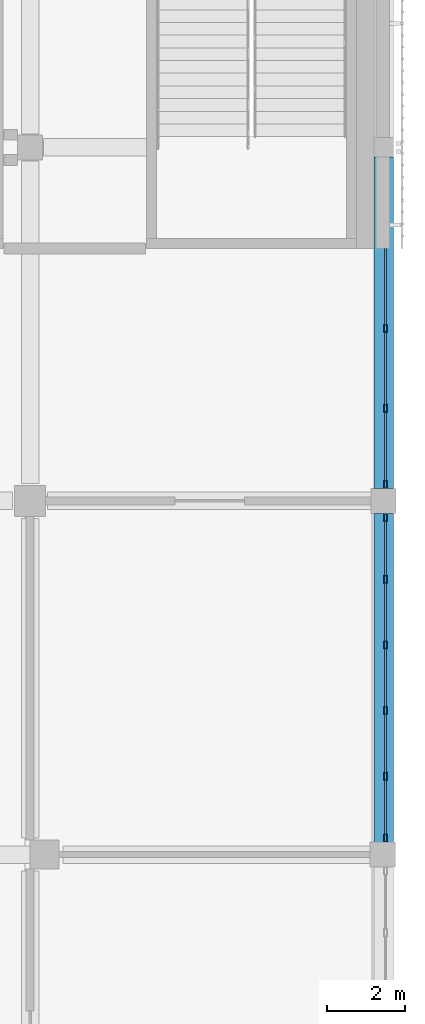
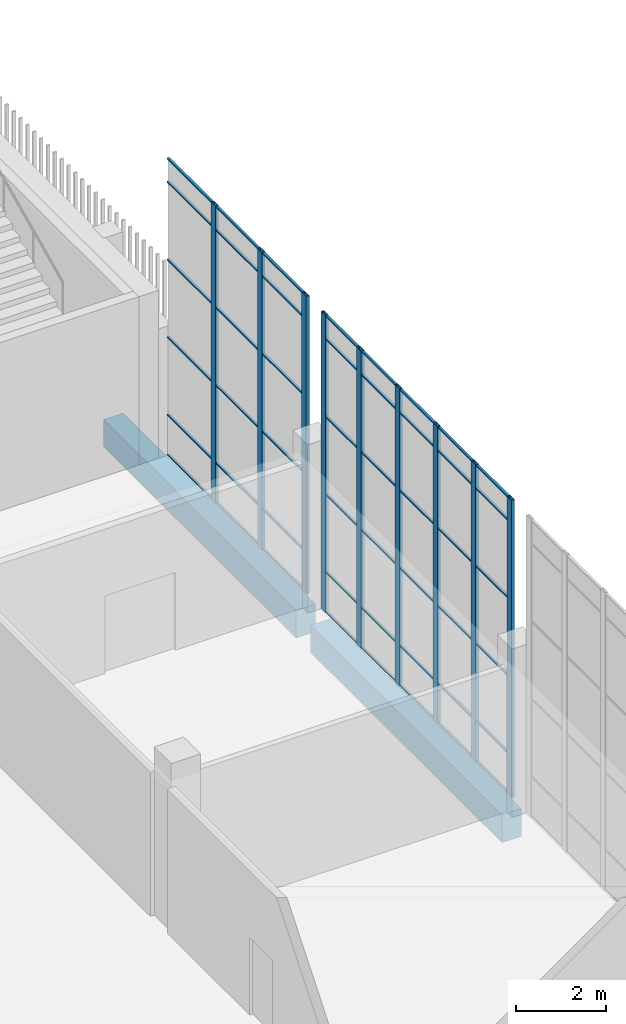
# One storey, part 56 of 126: 57 members, 2 beams, 2 elements without a shape of their own.
"""IFC4 building model written with IfcOpenShell, lengths in metres."""

from ifc_helpers import new_model, si_unit, direction, frame, origin, origin_2d, place, context, subcontext, project, spatial, rectangle, hollow_rectangle, extrude, material, layer, layer_set, material_profile, profile_set, type_object, element, aggregate, save


model = new_model("IFC4")

# Units and contexts
model_context = context("Model", 3, precision=1e-05, world=origin(), true_north=direction((0.0, 1.0)))
body_context = subcontext(model_context, "Body", "Model", "MODEL_VIEW")
ifc_project = project(units=[si_unit("LENGTHUNIT", "METRE"), si_unit("AREAUNIT", "SQUARE_METRE"), si_unit("VOLUMEUNIT", "CUBIC_METRE"), si_unit("PLANEANGLEUNIT", "RADIAN"), si_unit("MASSUNIT", "GRAM", prefix="KILO")], contexts=[model_context])

# Site, building, storey
site_placement = place(None, origin())
site = spatial("IfcSite", under=ifc_project, at=site_placement, CompositionType="ELEMENT")
building_placement = place(site_placement, origin())
building = spatial("IfcBuilding", under=site, at=building_placement, Name="Shirokan Park Arena", CompositionType="ELEMENT")
storey_placement = place(building_placement, frame((0.0, 0.0, 6.3701171875)))
storey = spatial("IfcBuildingStorey", under=building, at=storey_placement, Name="L01", CompositionType="ELEMENT", Elevation=6.3701171875)

# Curtain wall, members
ifc_material_1 = material(Name="Steel and glass curtain wall", Category="steel")
ifc_layer = layer(ifc_material_1, 0.199951171875)
ifc_layer_set = layer_set([ifc_layer], Name="Steel and glass curtain wall 200 mm")
curtain_wall_type = type_object("IfcCurtainWallType", Name="Curtain wall hall bay 200", PredefinedType="NOTDEFINED", material=ifc_layer_set)
curtain_wall_1_placement = place(storey_placement, origin())
curtain_wall_1 = element("IfcCurtainWall", 1, at=curtain_wall_1_placement, inside=storey, type_object=curtain_wall_type, Name="Curtain wall east bay 8 L01", PredefinedType="NOTDEFINED")
ifc_material_2 = material(Name="Steel S355", Category="steel")
ifc_material_profile_1 = material_profile(ifc_material_2, hollow_rectangle(XDim=0.080078125, YDim=0.199951171875, WallThickness=0.008056640625, at=origin_2d()), Name="RHS 200x80x8")
ifc_profile_set_1 = profile_set([ifc_material_profile_1], Name="Steel S355")
member_type_1 = type_object("IfcMemberType", Name="Mullion RHS 200x80x8", PredefinedType="MULLION", material=ifc_profile_set_1)
member_1_placement = place(storey_placement, frame((145.64990234375, 64.125, 0.0), z_axis=(0.0, 0.0, 1.0), x_axis=(-1.0, 0.0, 0.0)))
member_1 = element("IfcMember", 2, at=member_1_placement, type_object=member_type_1, Name="CW5 mullion 1", PredefinedType="MULLION", context=body_context, shape_type="SweptSolid", body=[
    extrude(hollow_rectangle(XDim=0.080078125, YDim=0.199951171875, WallThickness=0.008056640625, at=origin_2d()), origin(), (0.0, 0.0, 1.0), 8.0498046875),
])
member_2_placement = place(storey_placement, frame((145.64990234375, 65.715087890625, 0.0), z_axis=(0.0, 0.0, 1.0), x_axis=(-1.0, 0.0, 0.0)))
member_2 = element("IfcMember", 3, at=member_2_placement, type_object=member_type_1, Name="CW5 mullion 2", PredefinedType="MULLION", context=body_context, shape_type="SweptSolid", body=[
    extrude(hollow_rectangle(XDim=0.080078125, YDim=0.199951171875, WallThickness=0.008056640625, at=origin_2d()), origin(), (0.0, 0.0, 1.0), 8.0498046875),
])
member_3_placement = place(storey_placement, frame((145.64990234375, 67.405029296875, 0.0), z_axis=(0.0, 0.0, 1.0), x_axis=(-1.0, 0.0, 0.0)))
member_3 = element("IfcMember", 4, at=member_3_placement, type_object=member_type_1, Name="CW5 mullion 3", PredefinedType="MULLION", context=body_context, shape_type="SweptSolid", body=[
    extrude(hollow_rectangle(XDim=0.080078125, YDim=0.199951171875, WallThickness=0.008056640625, at=origin_2d()), origin(), (0.0, 0.0, 1.0), 8.0498046875),
])
member_4_placement = place(storey_placement, frame((145.64990234375, 69.094970703125, 0.0), z_axis=(0.0, 0.0, 1.0), x_axis=(-1.0, 0.0, 0.0)))
member_4 = element("IfcMember", 5, at=member_4_placement, type_object=member_type_1, Name="CW5 mullion 4", PredefinedType="MULLION", context=body_context, shape_type="SweptSolid", body=[
    extrude(hollow_rectangle(XDim=0.080078125, YDim=0.199951171875, WallThickness=0.008056640625, at=origin_2d()), origin(), (0.0, 0.0, 1.0), 8.0498046875),
])
member_5_placement = place(storey_placement, frame((145.64990234375, 70.784912109375, 0.0), z_axis=(0.0, 0.0, 1.0), x_axis=(-1.0, 0.0, 0.0)))
member_5 = element("IfcMember", 6, at=member_5_placement, type_object=member_type_1, Name="CW5 mullion 5", PredefinedType="MULLION", context=body_context, shape_type="SweptSolid", body=[
    extrude(hollow_rectangle(XDim=0.080078125, YDim=0.199951171875, WallThickness=0.008056640625, at=origin_2d()), origin(), (0.0, 0.0, 1.0), 8.0498046875),
])
member_6_placement = place(storey_placement, frame((145.64990234375, 72.375, 0.0), z_axis=(0.0, 0.0, 1.0), x_axis=(-1.0, 0.0, 0.0)))
member_6 = element("IfcMember", 7, at=member_6_placement, type_object=member_type_1, Name="CW5 mullion 6", PredefinedType="MULLION", context=body_context, shape_type="SweptSolid", body=[
    extrude(hollow_rectangle(XDim=0.080078125, YDim=0.199951171875, WallThickness=0.008056640625, at=origin_2d()), origin(), (0.0, 0.0, 1.0), 8.0498046875),
])

curtain_wall_2_placement = place(storey_placement, origin())
curtain_wall_2 = element("IfcCurtainWall", 8, at=curtain_wall_2_placement, inside=storey, type_object=curtain_wall_type, Name="Curtain wall east bay 9 L01", PredefinedType="NOTDEFINED")
member_7_placement = place(storey_placement, frame((145.64990234375, 73.22509765625, 0.0), z_axis=(0.0, 0.0, 1.0), x_axis=(-1.0, 0.0, 0.0)))
member_7 = element("IfcMember", 9, at=member_7_placement, type_object=member_type_1, Name="CW5 mullion 1", PredefinedType="MULLION", context=body_context, shape_type="SweptSolid", body=[
    extrude(hollow_rectangle(XDim=0.080078125, YDim=0.199951171875, WallThickness=0.008056640625, at=origin_2d()), origin(), (0.0, 0.0, 1.0), 8.0498046875),
])
member_8_placement = place(storey_placement, frame((145.64990234375, 75.183349609375, 0.0), z_axis=(0.0, 0.0, 1.0), x_axis=(-1.0, 0.0, 0.0)))
member_8 = element("IfcMember", 10, at=member_8_placement, type_object=member_type_1, Name="CW5 mullion 2", PredefinedType="MULLION", context=body_context, shape_type="SweptSolid", body=[
    extrude(hollow_rectangle(XDim=0.080078125, YDim=0.199951171875, WallThickness=0.008056640625, at=origin_2d()), origin(), (0.0, 0.0, 1.0), 8.0498046875),
])
member_9_placement = place(storey_placement, frame((145.64990234375, 77.24169921875, 0.0), z_axis=(0.0, 0.0, 1.0), x_axis=(-1.0, 0.0, 0.0)))
member_9 = element("IfcMember", 11, at=member_9_placement, type_object=member_type_1, Name="CW5 mullion 3", PredefinedType="MULLION", context=body_context, shape_type="SweptSolid", body=[
    extrude(hollow_rectangle(XDim=0.080078125, YDim=0.199951171875, WallThickness=0.008056640625, at=origin_2d()), origin(), (0.0, 0.0, 1.0), 8.0498046875),
])

# Beams
ifc_material_3 = material(Name="Concrete C35", Category="concrete")
ifc_material_profile_2 = material_profile(ifc_material_3, rectangle(XDim=0.5, YDim=0.75, at=origin_2d()), Name="500x750")
ifc_profile_set_2 = profile_set([ifc_material_profile_2], Name="Concrete C35")
beam_type = type_object("IfcBeamType", Name="RC girder 500x750", PredefinedType="BEAM", material=ifc_profile_set_2)
beam_1_placement = place(storey_placement, frame((145.60009765625, 64.0, -0.72509765625), z_axis=(0.0, 1.0, 0.0), x_axis=(-1.0, 0.0, 0.0)))
element("IfcBeam", 12, at=beam_1_placement, inside=storey, type_object=beam_type, Name="Girder 17H-17J L01", PredefinedType="BEAM", context=body_context, shape_type="SweptSolid", body=[
    extrude(rectangle(XDim=0.5, YDim=0.75, at=origin_2d()), origin(), (0.0, 0.0, 1.0), 8.474853515625),
])
beam_2_placement = place(storey_placement, frame((145.60009765625, 73.125, -0.72509765625), z_axis=(0.0, 1.0, 0.0), x_axis=(-1.0, 0.0, 0.0)))
element("IfcBeam", 13, at=beam_2_placement, inside=storey, type_object=beam_type, Name="Girder 17J-17K L01", PredefinedType="BEAM", context=body_context, shape_type="SweptSolid", body=[
    extrude(rectangle(XDim=0.5, YDim=0.75, at=origin_2d()), origin(), (0.0, 0.0, 1.0), 8.52490234375),
])

# Member
ifc_material_profile_3 = material_profile(ifc_material_2, hollow_rectangle(XDim=0.06005859375, YDim=0.0400390625, WallThickness=0.00390625, at=origin_2d()), Name="RHS 60x40x4")
ifc_profile_set_3 = profile_set([ifc_material_profile_3], Name="Steel S355")
member_type_2 = type_object("IfcMemberType", Name="Transom RHS 60x40x4", PredefinedType="MULLION", material=ifc_profile_set_3)
member_10_placement = place(storey_placement, frame((145.64990234375, 64.22509765625, 0.019775390625), z_axis=(0.0, 1.0, 0.0), x_axis=(-1.0, 0.0, 0.0)))
member_10 = element("IfcMember", 14, at=member_10_placement, type_object=member_type_2, Name="CW5 transom 1.1", PredefinedType="MULLION", context=body_context, shape_type="SweptSolid", body=[
    extrude(hollow_rectangle(XDim=0.06005859375, YDim=0.0400390625, WallThickness=0.00390625, at=origin_2d()), origin(), (0.0, 0.0, 1.0), 1.389892578125),
])

member_11_placement = place(storey_placement, frame((145.64990234375, 64.22509765625, 1.099853515625), z_axis=(0.0, 1.0, 0.0), x_axis=(-1.0, 0.0, 0.0)))
member_11 = element("IfcMember", 15, at=member_11_placement, type_object=member_type_2, Name="CW5 transom 1.2", PredefinedType="MULLION", context=body_context, shape_type="SweptSolid", body=[
    extrude(hollow_rectangle(XDim=0.06005859375, YDim=0.0400390625, WallThickness=0.00390625, at=origin_2d()), origin(), (0.0, 0.0, 1.0), 1.389892578125),
])

member_12_placement = place(storey_placement, frame((145.64990234375, 64.22509765625, 3.199951171875), z_axis=(0.0, 1.0, 0.0), x_axis=(-1.0, 0.0, 0.0)))
member_12 = element("IfcMember", 16, at=member_12_placement, type_object=member_type_2, Name="CW5 transom 1.3", PredefinedType="MULLION", context=body_context, shape_type="SweptSolid", body=[
    extrude(hollow_rectangle(XDim=0.06005859375, YDim=0.0400390625, WallThickness=0.00390625, at=origin_2d()), origin(), (0.0, 0.0, 1.0), 1.389892578125),
])

member_13_placement = place(storey_placement, frame((145.64990234375, 64.22509765625, 5.2998046875), z_axis=(0.0, 1.0, 0.0), x_axis=(-1.0, 0.0, 0.0)))
member_13 = element("IfcMember", 17, at=member_13_placement, type_object=member_type_2, Name="CW5 transom 1.4", PredefinedType="MULLION", context=body_context, shape_type="SweptSolid", body=[
    extrude(hollow_rectangle(XDim=0.06005859375, YDim=0.0400390625, WallThickness=0.00390625, at=origin_2d()), origin(), (0.0, 0.0, 1.0), 1.389892578125),
])

member_14_placement = place(storey_placement, frame((145.64990234375, 64.22509765625, 7.39990234375), z_axis=(0.0, 1.0, 0.0), x_axis=(-1.0, 0.0, 0.0)))
member_14 = element("IfcMember", 18, at=member_14_placement, type_object=member_type_2, Name="CW5 transom 1.5", PredefinedType="MULLION", context=body_context, shape_type="SweptSolid", body=[
    extrude(hollow_rectangle(XDim=0.06005859375, YDim=0.0400390625, WallThickness=0.00390625, at=origin_2d()), origin(), (0.0, 0.0, 1.0), 1.389892578125),
])

member_15_placement = place(storey_placement, frame((145.64990234375, 64.22509765625, 8.02978515625), z_axis=(0.0, 1.0, 0.0), x_axis=(-1.0, 0.0, 0.0)))
member_15 = element("IfcMember", 19, at=member_15_placement, type_object=member_type_2, Name="CW5 transom 1.6", PredefinedType="MULLION", context=body_context, shape_type="SweptSolid", body=[
    extrude(hollow_rectangle(XDim=0.06005859375, YDim=0.0400390625, WallThickness=0.00390625, at=origin_2d()), origin(), (0.0, 0.0, 1.0), 1.389892578125),
])

member_16_placement = place(storey_placement, frame((145.64990234375, 65.81494140625, 0.019775390625), z_axis=(0.0, 1.0, 0.0), x_axis=(-1.0, 0.0, 0.0)))
member_16 = element("IfcMember", 20, at=member_16_placement, type_object=member_type_2, Name="CW5 transom 2.1", PredefinedType="MULLION", context=body_context, shape_type="SweptSolid", body=[
    extrude(hollow_rectangle(XDim=0.06005859375, YDim=0.0400390625, WallThickness=0.00390625, at=origin_2d()), origin(), (0.0, 0.0, 1.0), 1.489990234375),
])

member_17_placement = place(storey_placement, frame((145.64990234375, 65.81494140625, 1.099853515625), z_axis=(0.0, 1.0, 0.0), x_axis=(-1.0, 0.0, 0.0)))
member_17 = element("IfcMember", 21, at=member_17_placement, type_object=member_type_2, Name="CW5 transom 2.2", PredefinedType="MULLION", context=body_context, shape_type="SweptSolid", body=[
    extrude(hollow_rectangle(XDim=0.06005859375, YDim=0.0400390625, WallThickness=0.00390625, at=origin_2d()), origin(), (0.0, 0.0, 1.0), 1.489990234375),
])

member_18_placement = place(storey_placement, frame((145.64990234375, 65.81494140625, 3.199951171875), z_axis=(0.0, 1.0, 0.0), x_axis=(-1.0, 0.0, 0.0)))
member_18 = element("IfcMember", 22, at=member_18_placement, type_object=member_type_2, Name="CW5 transom 2.3", PredefinedType="MULLION", context=body_context, shape_type="SweptSolid", body=[
    extrude(hollow_rectangle(XDim=0.06005859375, YDim=0.0400390625, WallThickness=0.00390625, at=origin_2d()), origin(), (0.0, 0.0, 1.0), 1.489990234375),
])

member_19_placement = place(storey_placement, frame((145.64990234375, 65.81494140625, 5.2998046875), z_axis=(0.0, 1.0, 0.0), x_axis=(-1.0, 0.0, 0.0)))
member_19 = element("IfcMember", 23, at=member_19_placement, type_object=member_type_2, Name="CW5 transom 2.4", PredefinedType="MULLION", context=body_context, shape_type="SweptSolid", body=[
    extrude(hollow_rectangle(XDim=0.06005859375, YDim=0.0400390625, WallThickness=0.00390625, at=origin_2d()), origin(), (0.0, 0.0, 1.0), 1.489990234375),
])

member_20_placement = place(storey_placement, frame((145.64990234375, 65.81494140625, 7.39990234375), z_axis=(0.0, 1.0, 0.0), x_axis=(-1.0, 0.0, 0.0)))
member_20 = element("IfcMember", 24, at=member_20_placement, type_object=member_type_2, Name="CW5 transom 2.5", PredefinedType="MULLION", context=body_context, shape_type="SweptSolid", body=[
    extrude(hollow_rectangle(XDim=0.06005859375, YDim=0.0400390625, WallThickness=0.00390625, at=origin_2d()), origin(), (0.0, 0.0, 1.0), 1.489990234375),
])

member_21_placement = place(storey_placement, frame((145.64990234375, 65.81494140625, 8.02978515625), z_axis=(0.0, 1.0, 0.0), x_axis=(-1.0, 0.0, 0.0)))
member_21 = element("IfcMember", 25, at=member_21_placement, type_object=member_type_2, Name="CW5 transom 2.6", PredefinedType="MULLION", context=body_context, shape_type="SweptSolid", body=[
    extrude(hollow_rectangle(XDim=0.06005859375, YDim=0.0400390625, WallThickness=0.00390625, at=origin_2d()), origin(), (0.0, 0.0, 1.0), 1.489990234375),
])

member_22_placement = place(storey_placement, frame((145.64990234375, 67.5048828125, 0.019775390625), z_axis=(0.0, 1.0, 0.0), x_axis=(-1.0, 0.0, 0.0)))
member_22 = element("IfcMember", 26, at=member_22_placement, type_object=member_type_2, Name="CW5 transom 3.1", PredefinedType="MULLION", context=body_context, shape_type="SweptSolid", body=[
    extrude(hollow_rectangle(XDim=0.06005859375, YDim=0.0400390625, WallThickness=0.00390625, at=origin_2d()), origin(), (0.0, 0.0, 1.0), 1.490234375),
])

member_23_placement = place(storey_placement, frame((145.64990234375, 67.5048828125, 1.099853515625), z_axis=(0.0, 1.0, 0.0), x_axis=(-1.0, 0.0, 0.0)))
member_23 = element("IfcMember", 27, at=member_23_placement, type_object=member_type_2, Name="CW5 transom 3.2", PredefinedType="MULLION", context=body_context, shape_type="SweptSolid", body=[
    extrude(hollow_rectangle(XDim=0.06005859375, YDim=0.0400390625, WallThickness=0.00390625, at=origin_2d()), origin(), (0.0, 0.0, 1.0), 1.490234375),
])

member_24_placement = place(storey_placement, frame((145.64990234375, 67.5048828125, 3.199951171875), z_axis=(0.0, 1.0, 0.0), x_axis=(-1.0, 0.0, 0.0)))
member_24 = element("IfcMember", 28, at=member_24_placement, type_object=member_type_2, Name="CW5 transom 3.3", PredefinedType="MULLION", context=body_context, shape_type="SweptSolid", body=[
    extrude(hollow_rectangle(XDim=0.06005859375, YDim=0.0400390625, WallThickness=0.00390625, at=origin_2d()), origin(), (0.0, 0.0, 1.0), 1.490234375),
])

member_25_placement = place(storey_placement, frame((145.64990234375, 67.5048828125, 5.2998046875), z_axis=(0.0, 1.0, 0.0), x_axis=(-1.0, 0.0, 0.0)))
member_25 = element("IfcMember", 29, at=member_25_placement, type_object=member_type_2, Name="CW5 transom 3.4", PredefinedType="MULLION", context=body_context, shape_type="SweptSolid", body=[
    extrude(hollow_rectangle(XDim=0.06005859375, YDim=0.0400390625, WallThickness=0.00390625, at=origin_2d()), origin(), (0.0, 0.0, 1.0), 1.490234375),
])

member_26_placement = place(storey_placement, frame((145.64990234375, 67.5048828125, 7.39990234375), z_axis=(0.0, 1.0, 0.0), x_axis=(-1.0, 0.0, 0.0)))
member_26 = element("IfcMember", 30, at=member_26_placement, type_object=member_type_2, Name="CW5 transom 3.5", PredefinedType="MULLION", context=body_context, shape_type="SweptSolid", body=[
    extrude(hollow_rectangle(XDim=0.06005859375, YDim=0.0400390625, WallThickness=0.00390625, at=origin_2d()), origin(), (0.0, 0.0, 1.0), 1.490234375),
])

member_27_placement = place(storey_placement, frame((145.64990234375, 67.5048828125, 8.02978515625), z_axis=(0.0, 1.0, 0.0), x_axis=(-1.0, 0.0, 0.0)))
member_27 = element("IfcMember", 31, at=member_27_placement, type_object=member_type_2, Name="CW5 transom 3.6", PredefinedType="MULLION", context=body_context, shape_type="SweptSolid", body=[
    extrude(hollow_rectangle(XDim=0.06005859375, YDim=0.0400390625, WallThickness=0.00390625, at=origin_2d()), origin(), (0.0, 0.0, 1.0), 1.490234375),
])

member_28_placement = place(storey_placement, frame((145.64990234375, 69.195068359375, 0.019775390625), z_axis=(0.0, 1.0, 0.0), x_axis=(-1.0, 0.0, 0.0)))
member_28 = element("IfcMember", 32, at=member_28_placement, type_object=member_type_2, Name="CW5 transom 4.1", PredefinedType="MULLION", context=body_context, shape_type="SweptSolid", body=[
    extrude(hollow_rectangle(XDim=0.06005859375, YDim=0.0400390625, WallThickness=0.00390625, at=origin_2d()), origin(), (0.0, 0.0, 1.0), 1.489990234375),
])

member_29_placement = place(storey_placement, frame((145.64990234375, 69.195068359375, 1.099853515625), z_axis=(0.0, 1.0, 0.0), x_axis=(-1.0, 0.0, 0.0)))
member_29 = element("IfcMember", 33, at=member_29_placement, type_object=member_type_2, Name="CW5 transom 4.2", PredefinedType="MULLION", context=body_context, shape_type="SweptSolid", body=[
    extrude(hollow_rectangle(XDim=0.06005859375, YDim=0.0400390625, WallThickness=0.00390625, at=origin_2d()), origin(), (0.0, 0.0, 1.0), 1.489990234375),
])

member_30_placement = place(storey_placement, frame((145.64990234375, 69.195068359375, 3.199951171875), z_axis=(0.0, 1.0, 0.0), x_axis=(-1.0, 0.0, 0.0)))
member_30 = element("IfcMember", 34, at=member_30_placement, type_object=member_type_2, Name="CW5 transom 4.3", PredefinedType="MULLION", context=body_context, shape_type="SweptSolid", body=[
    extrude(hollow_rectangle(XDim=0.06005859375, YDim=0.0400390625, WallThickness=0.00390625, at=origin_2d()), origin(), (0.0, 0.0, 1.0), 1.489990234375),
])

member_31_placement = place(storey_placement, frame((145.64990234375, 69.195068359375, 5.2998046875), z_axis=(0.0, 1.0, 0.0), x_axis=(-1.0, 0.0, 0.0)))
member_31 = element("IfcMember", 35, at=member_31_placement, type_object=member_type_2, Name="CW5 transom 4.4", PredefinedType="MULLION", context=body_context, shape_type="SweptSolid", body=[
    extrude(hollow_rectangle(XDim=0.06005859375, YDim=0.0400390625, WallThickness=0.00390625, at=origin_2d()), origin(), (0.0, 0.0, 1.0), 1.489990234375),
])

member_32_placement = place(storey_placement, frame((145.64990234375, 69.195068359375, 7.39990234375), z_axis=(0.0, 1.0, 0.0), x_axis=(-1.0, 0.0, 0.0)))
member_32 = element("IfcMember", 36, at=member_32_placement, type_object=member_type_2, Name="CW5 transom 4.5", PredefinedType="MULLION", context=body_context, shape_type="SweptSolid", body=[
    extrude(hollow_rectangle(XDim=0.06005859375, YDim=0.0400390625, WallThickness=0.00390625, at=origin_2d()), origin(), (0.0, 0.0, 1.0), 1.489990234375),
])

member_33_placement = place(storey_placement, frame((145.64990234375, 69.195068359375, 8.02978515625), z_axis=(0.0, 1.0, 0.0), x_axis=(-1.0, 0.0, 0.0)))
member_33 = element("IfcMember", 37, at=member_33_placement, type_object=member_type_2, Name="CW5 transom 4.6", PredefinedType="MULLION", context=body_context, shape_type="SweptSolid", body=[
    extrude(hollow_rectangle(XDim=0.06005859375, YDim=0.0400390625, WallThickness=0.00390625, at=origin_2d()), origin(), (0.0, 0.0, 1.0), 1.489990234375),
])

member_34_placement = place(storey_placement, frame((145.64990234375, 70.885009765625, 0.019775390625), z_axis=(0.0, 1.0, 0.0), x_axis=(-1.0, 0.0, 0.0)))
member_34 = element("IfcMember", 38, at=member_34_placement, type_object=member_type_2, Name="CW5 transom 5.1", PredefinedType="MULLION", context=body_context, shape_type="SweptSolid", body=[
    extrude(hollow_rectangle(XDim=0.06005859375, YDim=0.0400390625, WallThickness=0.00390625, at=origin_2d()), origin(), (0.0, 0.0, 1.0), 1.389892578125),
])

member_35_placement = place(storey_placement, frame((145.64990234375, 70.885009765625, 1.099853515625), z_axis=(0.0, 1.0, 0.0), x_axis=(-1.0, 0.0, 0.0)))
member_35 = element("IfcMember", 39, at=member_35_placement, type_object=member_type_2, Name="CW5 transom 5.2", PredefinedType="MULLION", context=body_context, shape_type="SweptSolid", body=[
    extrude(hollow_rectangle(XDim=0.06005859375, YDim=0.0400390625, WallThickness=0.00390625, at=origin_2d()), origin(), (0.0, 0.0, 1.0), 1.389892578125),
])

member_36_placement = place(storey_placement, frame((145.64990234375, 70.885009765625, 3.199951171875), z_axis=(0.0, 1.0, 0.0), x_axis=(-1.0, 0.0, 0.0)))
member_36 = element("IfcMember", 40, at=member_36_placement, type_object=member_type_2, Name="CW5 transom 5.3", PredefinedType="MULLION", context=body_context, shape_type="SweptSolid", body=[
    extrude(hollow_rectangle(XDim=0.06005859375, YDim=0.0400390625, WallThickness=0.00390625, at=origin_2d()), origin(), (0.0, 0.0, 1.0), 1.389892578125),
])

member_37_placement = place(storey_placement, frame((145.64990234375, 70.885009765625, 5.2998046875), z_axis=(0.0, 1.0, 0.0), x_axis=(-1.0, 0.0, 0.0)))
member_37 = element("IfcMember", 41, at=member_37_placement, type_object=member_type_2, Name="CW5 transom 5.4", PredefinedType="MULLION", context=body_context, shape_type="SweptSolid", body=[
    extrude(hollow_rectangle(XDim=0.06005859375, YDim=0.0400390625, WallThickness=0.00390625, at=origin_2d()), origin(), (0.0, 0.0, 1.0), 1.389892578125),
])

member_38_placement = place(storey_placement, frame((145.64990234375, 70.885009765625, 7.39990234375), z_axis=(0.0, 1.0, 0.0), x_axis=(-1.0, 0.0, 0.0)))
member_38 = element("IfcMember", 42, at=member_38_placement, type_object=member_type_2, Name="CW5 transom 5.5", PredefinedType="MULLION", context=body_context, shape_type="SweptSolid", body=[
    extrude(hollow_rectangle(XDim=0.06005859375, YDim=0.0400390625, WallThickness=0.00390625, at=origin_2d()), origin(), (0.0, 0.0, 1.0), 1.389892578125),
])

member_39_placement = place(storey_placement, frame((145.64990234375, 70.885009765625, 8.02978515625), z_axis=(0.0, 1.0, 0.0), x_axis=(-1.0, 0.0, 0.0)))
member_39 = element("IfcMember", 43, at=member_39_placement, type_object=member_type_2, Name="CW5 transom 5.6", PredefinedType="MULLION", context=body_context, shape_type="SweptSolid", body=[
    extrude(hollow_rectangle(XDim=0.06005859375, YDim=0.0400390625, WallThickness=0.00390625, at=origin_2d()), origin(), (0.0, 0.0, 1.0), 1.389892578125),
])

aggregate(curtain_wall_1, [member_1, member_2, member_3, member_4, member_5, member_6, member_10, member_11, member_12, member_13, member_14, member_15, member_16, member_17, member_18, member_19, member_20, member_21, member_22, member_23, member_24, member_25, member_26, member_27, member_28, member_29, member_30, member_31, member_32, member_33, member_34, member_35, member_36, member_37, member_38, member_39])

member_40_placement = place(storey_placement, frame((145.64990234375, 73.324951171875, 0.019775390625), z_axis=(0.0, 1.0, 0.0), x_axis=(-1.0, 0.0, 0.0)))
member_40 = element("IfcMember", 44, at=member_40_placement, type_object=member_type_2, Name="CW5 transom 1.1", PredefinedType="MULLION", context=body_context, shape_type="SweptSolid", body=[
    extrude(hollow_rectangle(XDim=0.06005859375, YDim=0.0400390625, WallThickness=0.00390625, at=origin_2d()), origin(), (0.0, 0.0, 1.0), 1.75830078125),
])

member_41_placement = place(storey_placement, frame((145.64990234375, 73.324951171875, 1.099853515625), z_axis=(0.0, 1.0, 0.0), x_axis=(-1.0, 0.0, 0.0)))
member_41 = element("IfcMember", 45, at=member_41_placement, type_object=member_type_2, Name="CW5 transom 1.2", PredefinedType="MULLION", context=body_context, shape_type="SweptSolid", body=[
    extrude(hollow_rectangle(XDim=0.06005859375, YDim=0.0400390625, WallThickness=0.00390625, at=origin_2d()), origin(), (0.0, 0.0, 1.0), 1.75830078125),
])

member_42_placement = place(storey_placement, frame((145.64990234375, 73.324951171875, 3.199951171875), z_axis=(0.0, 1.0, 0.0), x_axis=(-1.0, 0.0, 0.0)))
member_42 = element("IfcMember", 46, at=member_42_placement, type_object=member_type_2, Name="CW5 transom 1.3", PredefinedType="MULLION", context=body_context, shape_type="SweptSolid", body=[
    extrude(hollow_rectangle(XDim=0.06005859375, YDim=0.0400390625, WallThickness=0.00390625, at=origin_2d()), origin(), (0.0, 0.0, 1.0), 1.75830078125),
])

member_43_placement = place(storey_placement, frame((145.64990234375, 73.324951171875, 5.2998046875), z_axis=(0.0, 1.0, 0.0), x_axis=(-1.0, 0.0, 0.0)))
member_43 = element("IfcMember", 47, at=member_43_placement, type_object=member_type_2, Name="CW5 transom 1.4", PredefinedType="MULLION", context=body_context, shape_type="SweptSolid", body=[
    extrude(hollow_rectangle(XDim=0.06005859375, YDim=0.0400390625, WallThickness=0.00390625, at=origin_2d()), origin(), (0.0, 0.0, 1.0), 1.75830078125),
])

member_44_placement = place(storey_placement, frame((145.64990234375, 73.324951171875, 7.39990234375), z_axis=(0.0, 1.0, 0.0), x_axis=(-1.0, 0.0, 0.0)))
member_44 = element("IfcMember", 48, at=member_44_placement, type_object=member_type_2, Name="CW5 transom 1.5", PredefinedType="MULLION", context=body_context, shape_type="SweptSolid", body=[
    extrude(hollow_rectangle(XDim=0.06005859375, YDim=0.0400390625, WallThickness=0.00390625, at=origin_2d()), origin(), (0.0, 0.0, 1.0), 1.75830078125),
])

member_45_placement = place(storey_placement, frame((145.64990234375, 73.324951171875, 8.02978515625), z_axis=(0.0, 1.0, 0.0), x_axis=(-1.0, 0.0, 0.0)))
member_45 = element("IfcMember", 49, at=member_45_placement, type_object=member_type_2, Name="CW5 transom 1.6", PredefinedType="MULLION", context=body_context, shape_type="SweptSolid", body=[
    extrude(hollow_rectangle(XDim=0.06005859375, YDim=0.0400390625, WallThickness=0.00390625, at=origin_2d()), origin(), (0.0, 0.0, 1.0), 1.75830078125),
])

member_46_placement = place(storey_placement, frame((145.64990234375, 75.283447265625, 0.019775390625), z_axis=(0.0, 1.0, 0.0), x_axis=(-1.0, 0.0, 0.0)))
member_46 = element("IfcMember", 50, at=member_46_placement, type_object=member_type_2, Name="CW5 transom 2.1", PredefinedType="MULLION", context=body_context, shape_type="SweptSolid", body=[
    extrude(hollow_rectangle(XDim=0.06005859375, YDim=0.0400390625, WallThickness=0.00390625, at=origin_2d()), origin(), (0.0, 0.0, 1.0), 1.858154296875),
])

member_47_placement = place(storey_placement, frame((145.64990234375, 75.283447265625, 1.099853515625), z_axis=(0.0, 1.0, 0.0), x_axis=(-1.0, 0.0, 0.0)))
member_47 = element("IfcMember", 51, at=member_47_placement, type_object=member_type_2, Name="CW5 transom 2.2", PredefinedType="MULLION", context=body_context, shape_type="SweptSolid", body=[
    extrude(hollow_rectangle(XDim=0.06005859375, YDim=0.0400390625, WallThickness=0.00390625, at=origin_2d()), origin(), (0.0, 0.0, 1.0), 1.858154296875),
])

member_48_placement = place(storey_placement, frame((145.64990234375, 75.283447265625, 3.199951171875), z_axis=(0.0, 1.0, 0.0), x_axis=(-1.0, 0.0, 0.0)))
member_48 = element("IfcMember", 52, at=member_48_placement, type_object=member_type_2, Name="CW5 transom 2.3", PredefinedType="MULLION", context=body_context, shape_type="SweptSolid", body=[
    extrude(hollow_rectangle(XDim=0.06005859375, YDim=0.0400390625, WallThickness=0.00390625, at=origin_2d()), origin(), (0.0, 0.0, 1.0), 1.858154296875),
])

member_49_placement = place(storey_placement, frame((145.64990234375, 75.283447265625, 5.2998046875), z_axis=(0.0, 1.0, 0.0), x_axis=(-1.0, 0.0, 0.0)))
member_49 = element("IfcMember", 53, at=member_49_placement, type_object=member_type_2, Name="CW5 transom 2.4", PredefinedType="MULLION", context=body_context, shape_type="SweptSolid", body=[
    extrude(hollow_rectangle(XDim=0.06005859375, YDim=0.0400390625, WallThickness=0.00390625, at=origin_2d()), origin(), (0.0, 0.0, 1.0), 1.858154296875),
])

member_50_placement = place(storey_placement, frame((145.64990234375, 75.283447265625, 7.39990234375), z_axis=(0.0, 1.0, 0.0), x_axis=(-1.0, 0.0, 0.0)))
member_50 = element("IfcMember", 54, at=member_50_placement, type_object=member_type_2, Name="CW5 transom 2.5", PredefinedType="MULLION", context=body_context, shape_type="SweptSolid", body=[
    extrude(hollow_rectangle(XDim=0.06005859375, YDim=0.0400390625, WallThickness=0.00390625, at=origin_2d()), origin(), (0.0, 0.0, 1.0), 1.858154296875),
])

member_51_placement = place(storey_placement, frame((145.64990234375, 75.283447265625, 8.02978515625), z_axis=(0.0, 1.0, 0.0), x_axis=(-1.0, 0.0, 0.0)))
member_51 = element("IfcMember", 55, at=member_51_placement, type_object=member_type_2, Name="CW5 transom 2.6", PredefinedType="MULLION", context=body_context, shape_type="SweptSolid", body=[
    extrude(hollow_rectangle(XDim=0.06005859375, YDim=0.0400390625, WallThickness=0.00390625, at=origin_2d()), origin(), (0.0, 0.0, 1.0), 1.858154296875),
])

member_52_placement = place(storey_placement, frame((145.64990234375, 77.341552734375, 0.019775390625), z_axis=(0.0, 1.0, 0.0), x_axis=(-1.0, 0.0, 0.0)))
member_52 = element("IfcMember", 56, at=member_52_placement, type_object=member_type_2, Name="CW5 transom 3.1", PredefinedType="MULLION", context=body_context, shape_type="SweptSolid", body=[
    extrude(hollow_rectangle(XDim=0.06005859375, YDim=0.0400390625, WallThickness=0.00390625, at=origin_2d()), origin(), (0.0, 0.0, 1.0), 1.95849609375),
])

member_53_placement = place(storey_placement, frame((145.64990234375, 77.341552734375, 1.099853515625), z_axis=(0.0, 1.0, 0.0), x_axis=(-1.0, 0.0, 0.0)))
member_53 = element("IfcMember", 57, at=member_53_placement, type_object=member_type_2, Name="CW5 transom 3.2", PredefinedType="MULLION", context=body_context, shape_type="SweptSolid", body=[
    extrude(hollow_rectangle(XDim=0.06005859375, YDim=0.0400390625, WallThickness=0.00390625, at=origin_2d()), origin(), (0.0, 0.0, 1.0), 1.95849609375),
])

member_54_placement = place(storey_placement, frame((145.64990234375, 77.341552734375, 3.199951171875), z_axis=(0.0, 1.0, 0.0), x_axis=(-1.0, 0.0, 0.0)))
member_54 = element("IfcMember", 58, at=member_54_placement, type_object=member_type_2, Name="CW5 transom 3.3", PredefinedType="MULLION", context=body_context, shape_type="SweptSolid", body=[
    extrude(hollow_rectangle(XDim=0.06005859375, YDim=0.0400390625, WallThickness=0.00390625, at=origin_2d()), origin(), (0.0, 0.0, 1.0), 1.95849609375),
])

member_55_placement = place(storey_placement, frame((145.64990234375, 77.341552734375, 5.2998046875), z_axis=(0.0, 1.0, 0.0), x_axis=(-1.0, 0.0, 0.0)))
member_55 = element("IfcMember", 59, at=member_55_placement, type_object=member_type_2, Name="CW5 transom 3.4", PredefinedType="MULLION", context=body_context, shape_type="SweptSolid", body=[
    extrude(hollow_rectangle(XDim=0.06005859375, YDim=0.0400390625, WallThickness=0.00390625, at=origin_2d()), origin(), (0.0, 0.0, 1.0), 1.95849609375),
])

member_56_placement = place(storey_placement, frame((145.64990234375, 77.341552734375, 7.39990234375), z_axis=(0.0, 1.0, 0.0), x_axis=(-1.0, 0.0, 0.0)))
member_56 = element("IfcMember", 60, at=member_56_placement, type_object=member_type_2, Name="CW5 transom 3.5", PredefinedType="MULLION", context=body_context, shape_type="SweptSolid", body=[
    extrude(hollow_rectangle(XDim=0.06005859375, YDim=0.0400390625, WallThickness=0.00390625, at=origin_2d()), origin(), (0.0, 0.0, 1.0), 1.95849609375),
])

member_57_placement = place(storey_placement, frame((145.64990234375, 77.341552734375, 8.02978515625), z_axis=(0.0, 1.0, 0.0), x_axis=(-1.0, 0.0, 0.0)))
member_57 = element("IfcMember", 61, at=member_57_placement, type_object=member_type_2, Name="CW5 transom 3.6", PredefinedType="MULLION", context=body_context, shape_type="SweptSolid", body=[
    extrude(hollow_rectangle(XDim=0.06005859375, YDim=0.0400390625, WallThickness=0.00390625, at=origin_2d()), origin(), (0.0, 0.0, 1.0), 1.95849609375),
])

aggregate(curtain_wall_2, [member_7, member_8, member_9, member_40, member_41, member_42, member_43, member_44, member_45, member_46, member_47, member_48, member_49, member_50, member_51, member_52, member_53, member_54, member_55, member_56, member_57])

save(model, "model.ifc")
